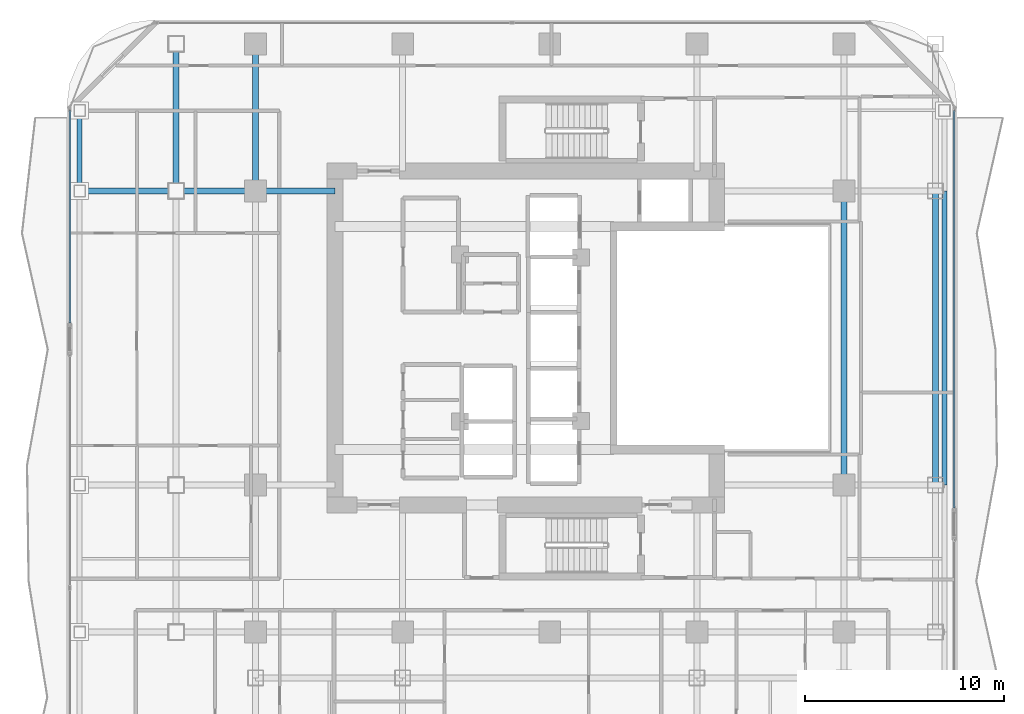
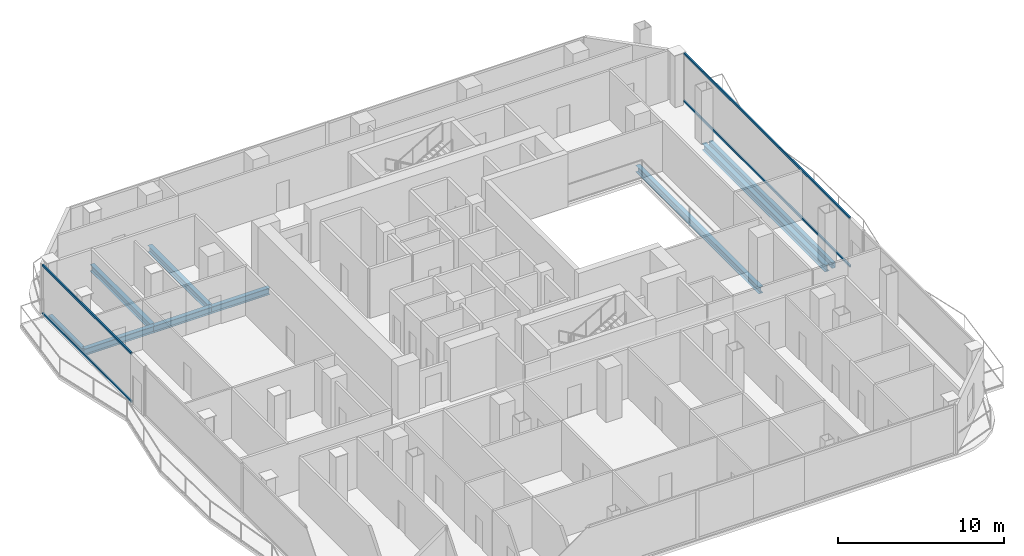
# One storey, part 10 of 24: 9 beams, 4 members, 2 elements without a shape of their own.
"""IFC4 building model written with IfcOpenShell, lengths in metres."""

from ifc_helpers import new_model, si_unit, direction, frame, origin, origin_2d, place, context, subcontext, project, spatial, hollow_rectangle, i_section, extrude, material, layer, layer_set, material_profile, profile_set, type_object, element, aggregate, save


model = new_model("IFC4")

# Units and contexts
model_context = context("Model", 3, precision=1e-05, world=origin(), true_north=direction((0.0, 1.0)))
body_context = subcontext(model_context, "Body", "Model", "MODEL_VIEW")
ifc_project = project(units=[si_unit("LENGTHUNIT", "METRE"), si_unit("AREAUNIT", "SQUARE_METRE"), si_unit("VOLUMEUNIT", "CUBIC_METRE"), si_unit("PLANEANGLEUNIT", "RADIAN"), si_unit("MASSUNIT", "GRAM", prefix="KILO")], contexts=[model_context])

# Site, building, storey
site_placement = place(None, origin())
site = spatial("IfcSite", under=ifc_project, at=site_placement, CompositionType="ELEMENT")
building_placement = place(site_placement, origin())
building = spatial("IfcBuilding", under=site, at=building_placement, Name="Khorvyn Point Tower", CompositionType="ELEMENT")
storey_placement = place(building_placement, frame((0.0, 0.0, 215.699951171875)))
storey = spatial("IfcBuildingStorey", under=building, at=storey_placement, Name="L53", CompositionType="ELEMENT", Elevation=215.699951171875)

# Curtain wall, members
ifc_material_1 = material(Name="Anodised aluminium 6063-T6 and laminated Low-E glass", Category="aluminium")
ifc_layer = layer(ifc_material_1, 0.18994140625)
ifc_layer_set = layer_set([ifc_layer], Name="Stick-Built Acoustic Curtain Wall CW-SYS-03")
curtain_wall_type = type_object("IfcCurtainWallType", Name="Stick-Built Acoustic Curtain Wall CW-SYS-03", PredefinedType="NOTDEFINED", material=ifc_layer_set)
curtain_wall_1_placement = place(storey_placement, origin())
curtain_wall_1 = element("IfcCurtainWall", 1, at=curtain_wall_1_placement, inside=storey, type_object=curtain_wall_type, Name="Curtain Wall", PredefinedType="NOTDEFINED")
ifc_material_2 = material(Name="Anodised aluminium 6063-T6", Category="aluminium")
ifc_material_profile_1 = material_profile(ifc_material_2, hollow_rectangle(XDim=0.10009765625, YDim=0.159912109375, WallThickness=0.00439453125, at=origin_2d()))
ifc_profile_set_1 = profile_set([ifc_material_profile_1], Name="Anodised aluminium 6063-T6 ALU-TRN-100x160")
member_type = type_object("IfcMemberType", Name="Anodised Aluminium 6063-T6 Transom ALU-TRN-100x160", PredefinedType="USERDEFINED", material=ifc_profile_set_1)
member_1_placement = place(storey_placement, frame((-24.14990234375, 0.757080078125, 0.050048828125), z_axis=(0.0, 1.0, 0.0), x_axis=(-1.0, 0.0, 0.0)))
member_1 = element("IfcMember", 2, at=member_1_placement, type_object=member_type, Name="Transom", ObjectType="TRANSOM", PredefinedType="USERDEFINED", context=body_context, shape_type="SweptSolid", body=[
    extrude(hollow_rectangle(XDim=0.10009765625, YDim=0.159912109375, WallThickness=0.00439453125, at=origin_2d()), origin(), (0.0, 0.0, 1.0), 10.69287109375),
])
member_2_placement = place(storey_placement, frame((-24.14990234375, 0.757080078125, 3.570068359375), z_axis=(0.0, 1.0, 0.0), x_axis=(-1.0, 0.0, 0.0)))
member_2 = element("IfcMember", 3, at=member_2_placement, type_object=member_type, Name="Transom", ObjectType="TRANSOM", PredefinedType="USERDEFINED", context=body_context, shape_type="SweptSolid", body=[
    extrude(hollow_rectangle(XDim=0.10009765625, YDim=0.159912109375, WallThickness=0.00439453125, at=origin_2d()), origin(), (0.0, 0.0, 1.0), 10.69287109375),
])
aggregate(curtain_wall_1, [member_1, member_2])

curtain_wall_2_placement = place(storey_placement, origin())
curtain_wall_2 = element("IfcCurtainWall", 4, at=curtain_wall_2_placement, inside=storey, type_object=curtain_wall_type, Name="Curtain Wall", PredefinedType="NOTDEFINED")
member_3_placement = place(storey_placement, frame((20.35009765625, 11.449951171875, 0.050048828125), z_axis=(0.0, -1.0, 0.0), x_axis=(1.0, 0.0, 0.0)))
member_3 = element("IfcMember", 5, at=member_3_placement, type_object=member_type, Name="Transom", ObjectType="TRANSOM", PredefinedType="USERDEFINED", context=body_context, shape_type="SweptSolid", body=[
    extrude(hollow_rectangle(XDim=0.10009765625, YDim=0.159912109375, WallThickness=0.00439453125, at=origin_2d()), origin(), (0.0, 0.0, 1.0), 19.9970703125),
])
member_4_placement = place(storey_placement, frame((20.35009765625, 11.449951171875, 3.570068359375), z_axis=(0.0, -1.0, 0.0), x_axis=(1.0, 0.0, 0.0)))
member_4 = element("IfcMember", 6, at=member_4_placement, type_object=member_type, Name="Transom", ObjectType="TRANSOM", PredefinedType="USERDEFINED", context=body_context, shape_type="SweptSolid", body=[
    extrude(hollow_rectangle(XDim=0.10009765625, YDim=0.159912109375, WallThickness=0.00439453125, at=origin_2d()), origin(), (0.0, 0.0, 1.0), 19.9970703125),
])
aggregate(curtain_wall_2, [member_3, member_4])

# Beams
ifc_material_3 = material(Name="Steel S355", Category="steel")
ifc_material_profile_2 = material_profile(ifc_material_3, i_section(OverallWidth=0.300048828125, OverallDepth=0.488037109375, WebThickness=0.010986328125, FlangeThickness=0.01806640625, at=origin_2d()))
ifc_profile_set_2 = profile_set([ifc_material_profile_2], Name="Steel S355 H488x300x11x18")
beam_type_1 = type_object("IfcBeamType", Name="Steel S355 Spandrel H488x300x11x18", PredefinedType="SPANDREL", material=ifc_profile_set_2)
beam_1_placement = place(storey_placement, frame((-23.64990234375, 7.39990234375, -0.4638671875), z_axis=(1.0, 0.0, 0.0), x_axis=(0.0, 1.0, 0.0)))
element("IfcBeam", 7, at=beam_1_placement, inside=storey, type_object=beam_type_1, Name="Beam", PredefinedType="SPANDREL", context=body_context, shape_type="SweptSolid", body=[
    extrude(i_section(OverallWidth=0.300048828125, OverallDepth=0.488037109375, WebThickness=0.010986328125, FlangeThickness=0.01806640625, at=origin_2d()), origin(), (0.0, 0.0, 1.0), 4.849853515625),
])
for number, where, z_axis, x_axis, name in (
    (8, (-18.800048828125, 7.39990234375, -0.4638671875), (1.0, 0.0, 0.0), (0.0, 1.0, 0.0), "Beam"),
    (9, (-14.800048828125, 7.39990234375, -0.4638671875), (1.0, 0.0, 0.0), (0.0, 1.0, 0.0), "Beam"),
):
    element("IfcBeam", number, at=place(storey_placement, frame(where, z_axis=z_axis, x_axis=x_axis)), inside=storey, type_object=beam_type_1, Name=name, PredefinedType="SPANDREL", context=body_context, shape_type="SweptSolid", body=[
        extrude(i_section(OverallWidth=0.300048828125, OverallDepth=0.488037109375, WebThickness=0.010986328125, FlangeThickness=0.01806640625, at=origin_2d()), origin(), (0.0, 0.0, 1.0), 4.0),
    ])
beam_2_placement = place(storey_placement, frame((-14.800048828125, 7.39990234375, -0.4638671875), z_axis=(0.0, 1.0, 0.0), x_axis=(-1.0, 0.0, 0.0)))
element("IfcBeam", 10, at=beam_2_placement, inside=storey, type_object=beam_type_1, Name="Beam", PredefinedType="SPANDREL", context=body_context, shape_type="SweptSolid", body=[
    extrude(i_section(OverallWidth=0.300048828125, OverallDepth=0.488037109375, WebThickness=0.010986328125, FlangeThickness=0.01806640625, at=origin_2d()), origin(), (0.0, 0.0, 1.0), 7.400146484375),
])
beam_3_placement = place(storey_placement, frame((14.800048828125, -7.39990234375, -0.4638671875), z_axis=(0.0, 1.0, 0.0), x_axis=(-1.0, 0.0, 0.0)))
element("IfcBeam", 11, at=beam_3_placement, inside=storey, type_object=beam_type_1, Name="Beam", PredefinedType="SPANDREL", context=body_context, shape_type="SweptSolid", body=[
    extrude(i_section(OverallWidth=0.300048828125, OverallDepth=0.488037109375, WebThickness=0.010986328125, FlangeThickness=0.01806640625, at=origin_2d()), origin(), (0.0, 0.0, 1.0), 14.7998046875),
])
beam_4_placement = place(storey_placement, frame((-18.800048828125, 7.39990234375, -0.4638671875), z_axis=(0.0, 1.0, 0.0), x_axis=(-1.0, 0.0, 0.0)))
element("IfcBeam", 12, at=beam_4_placement, inside=storey, type_object=beam_type_1, Name="Beam", PredefinedType="SPANDREL", context=body_context, shape_type="SweptSolid", body=[
    extrude(i_section(OverallWidth=0.300048828125, OverallDepth=0.488037109375, WebThickness=0.010986328125, FlangeThickness=0.01806640625, at=origin_2d()), origin(), (0.0, 0.0, 1.0), 7.400146484375),
])
beam_5_placement = place(storey_placement, frame((19.39990234375, -7.39990234375, -0.4638671875), z_axis=(0.0, 1.0, 0.0), x_axis=(-1.0, 0.0, 0.0)))
element("IfcBeam", 13, at=beam_5_placement, inside=storey, type_object=beam_type_1, Name="Beam", PredefinedType="SPANDREL", context=body_context, shape_type="SweptSolid", body=[
    extrude(i_section(OverallWidth=0.300048828125, OverallDepth=0.488037109375, WebThickness=0.010986328125, FlangeThickness=0.01806640625, at=origin_2d()), origin(), (0.0, 0.0, 1.0), 14.7998046875),
])
ifc_material_profile_3 = material_profile(ifc_material_3, hollow_rectangle(XDim=0.25, YDim=0.39990234375, WallThickness=0.01611328125, at=origin_2d()))
ifc_profile_set_3 = profile_set([ifc_material_profile_3], Name="Steel S355 RHS400x250x16")
beam_type_2 = type_object("IfcBeamType", Name="Steel S355 Spandrel RHS400x250x16", PredefinedType="SPANDREL", material=ifc_profile_set_3)
beam_6_placement = place(storey_placement, frame((-23.64990234375, 7.39990234375, -0.419921875), z_axis=(0.0, 1.0, 0.0), x_axis=(-1.0, 0.0, 0.0)))
element("IfcBeam", 14, at=beam_6_placement, inside=storey, type_object=beam_type_2, Name="Beam", PredefinedType="SPANDREL", context=body_context, shape_type="SweptSolid", body=[
    extrude(hollow_rectangle(XDim=0.25, YDim=0.39990234375, WallThickness=0.01611328125, at=origin_2d()), origin(), (0.0, 0.0, 1.0), 4.050048828125),
])
beam_7_placement = place(storey_placement, frame((19.85009765625, -7.39990234375, -0.419921875), z_axis=(0.0, 1.0, 0.0), x_axis=(-1.0, 0.0, 0.0)))
element("IfcBeam", 15, at=beam_7_placement, inside=storey, type_object=beam_type_2, Name="Beam", PredefinedType="SPANDREL", context=body_context, shape_type="SweptSolid", body=[
    extrude(hollow_rectangle(XDim=0.25, YDim=0.39990234375, WallThickness=0.01611328125, at=origin_2d()), origin(), (0.0, 0.0, 1.0), 14.7998046875),
])

save(model, "model.ifc")
